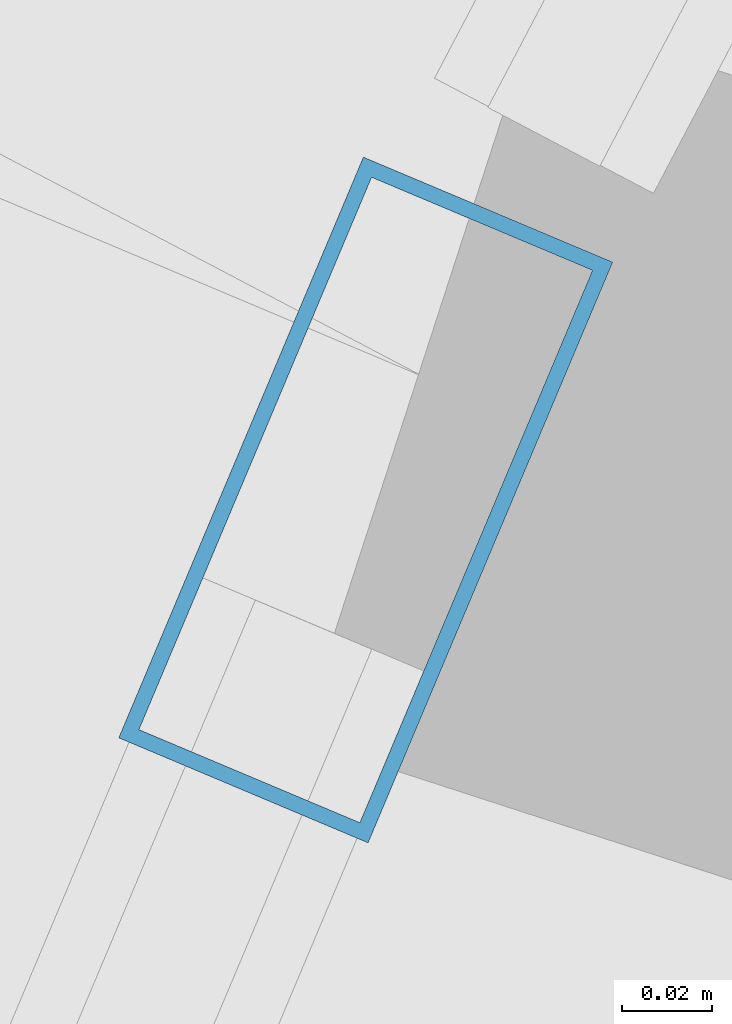
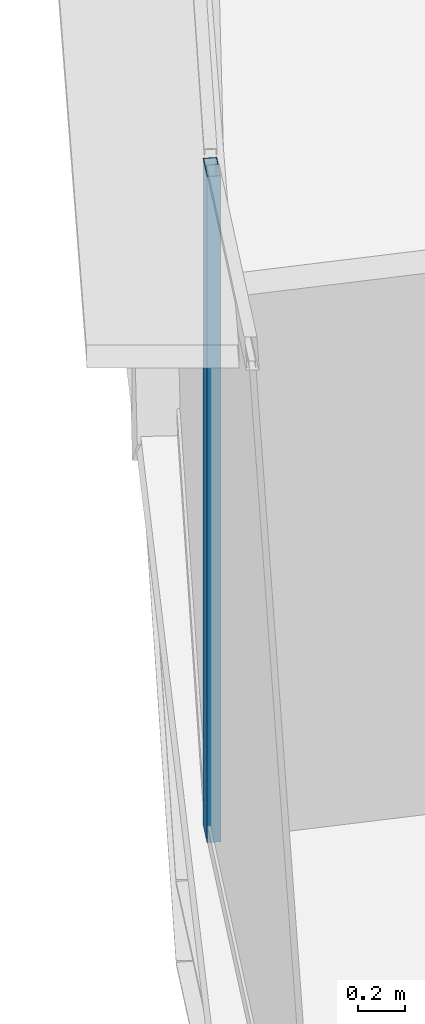
# One storey, part 8 of 34: 1 member, 1 element without a shape of its own.
"""IFC4 building model written with IfcOpenShell, lengths in metres."""

from ifc_helpers import new_model, si_unit, direction, frame, origin, origin_2d, place, context, subcontext, project, spatial, hollow_rectangle, extrude, source, transform, mapped, material, layer, layer_set, material_profile, profile_set, type_object, element, aggregate, save


model = new_model("IFC4")

# Units and contexts
model_context = context("Model", 3, precision=1e-05, world=origin(), true_north=direction((0.0, 1.0)))
body_context = subcontext(model_context, "Body", "Model", "MODEL_VIEW")
ifc_project = project(units=[si_unit("LENGTHUNIT", "METRE"), si_unit("AREAUNIT", "SQUARE_METRE"), si_unit("VOLUMEUNIT", "CUBIC_METRE"), si_unit("PLANEANGLEUNIT", "RADIAN"), si_unit("MASSUNIT", "GRAM", prefix="KILO"), si_unit("THERMODYNAMICTEMPERATUREUNIT", "KELVIN"), si_unit("POWERUNIT", "WATT")], contexts=[model_context])

# Site, building, storey
site_placement = place(None, origin())
site = spatial("IfcSite", under=ifc_project, at=site_placement, CompositionType="ELEMENT")
building_placement = place(site_placement, origin())
building = spatial("IfcBuilding", under=site, at=building_placement, Name="Yunzhuo Pagoda Commons", CompositionType="ELEMENT")
storey_placement = place(building_placement, frame((0.0, 0.0, 229.610107421875)))
storey = spatial("IfcBuildingStorey", under=building, at=storey_placement, Name="L57", CompositionType="ELEMENT", Elevation=229.610107421875)

# Curtain wall, member
ifc_material = material(Name="Anodized aluminium 6063-T6", Category="aluminium")
ifc_layer = layer(ifc_material, 0.139892578125)
ifc_layer_set = layer_set([ifc_layer], Name="Anodized aluminium 6063-T6")
curtain_wall_type = type_object("IfcCurtainWallType", Name="CW-HI High-Zone Ribbon Curtain Wall", PredefinedType="NOTDEFINED", material=ifc_layer_set)
curtain_wall_placement = place(storey_placement, origin())
curtain_wall = element("IfcCurtainWall", 1, at=curtain_wall_placement, inside=storey, type_object=curtain_wall_type, Name="L57 curtain wall CW-L57-F3B4", PredefinedType="NOTDEFINED")
ifc_material_profile = material_profile(ifc_material, hollow_rectangle(XDim=0.06005859375, YDim=0.139892578125, WallThickness=0.00341796875, at=origin_2d()), Name="Anodized aluminium 6063-T6")
ifc_profile_set = profile_set([ifc_material_profile], Name="Anodized aluminium 6063-T6")
member_type = type_object("IfcMemberType", Name="CW-HI-M Mullion RHS 140x60x3.5", PredefinedType="MULLION", material=ifc_profile_set)
shared_shape = source(origin(), body_context, "Body", "SweptSolid", [
    extrude(hollow_rectangle(XDim=0.06005859375, YDim=0.139892578125, WallThickness=0.00341796875, at=origin_2d()), origin(), (0.0, 0.0, 1.0), 3.469970703125),
])
member_placement = place(storey_placement, frame((19.14404296875, 43.04443359375, 0.0), z_axis=(0.0, 0.0, 1.0), x_axis=(0.92158893956, -0.388167266112, 0.0)))
member = element("IfcMember", 2, at=member_placement, type_object=member_type, Name="CW mullion 1", PredefinedType="MULLION", context=body_context, shape_type="MappedRepresentation", body=[
    mapped(shared_shape, transform((0.0, 0.0, 0.0), scale=1.0)),
])
aggregate(curtain_wall, [member])

save(model, "model.ifc")
